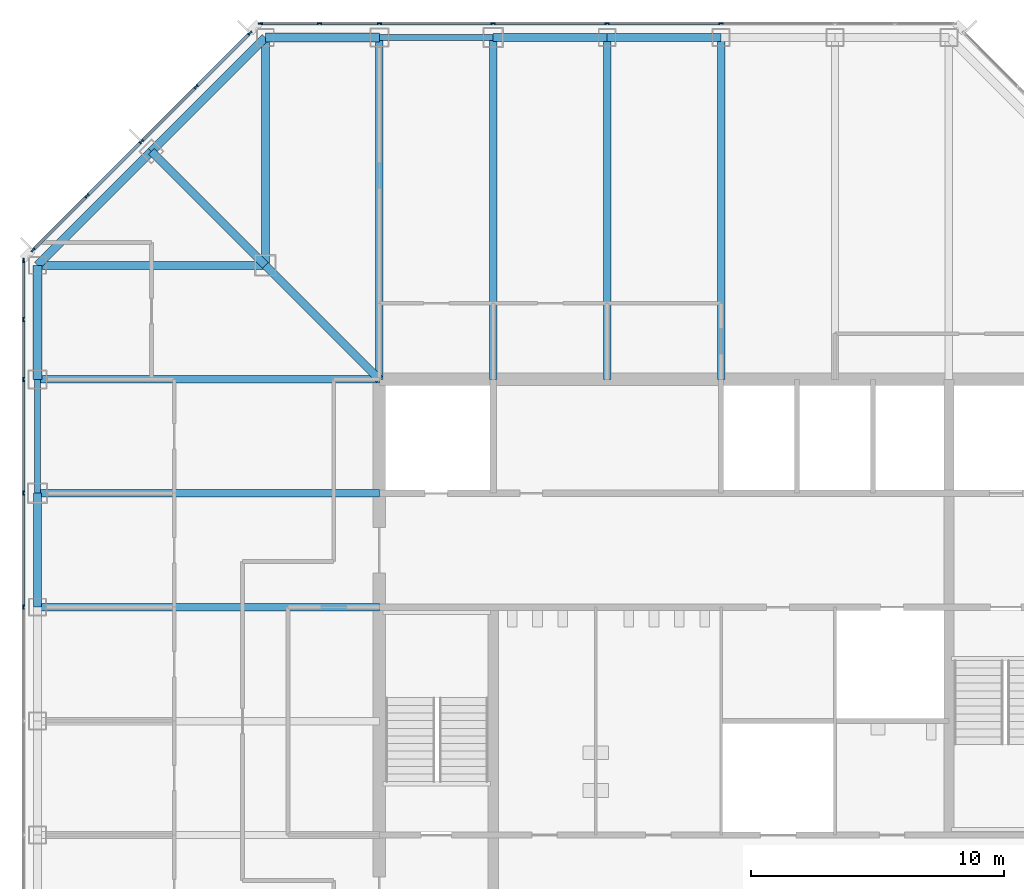
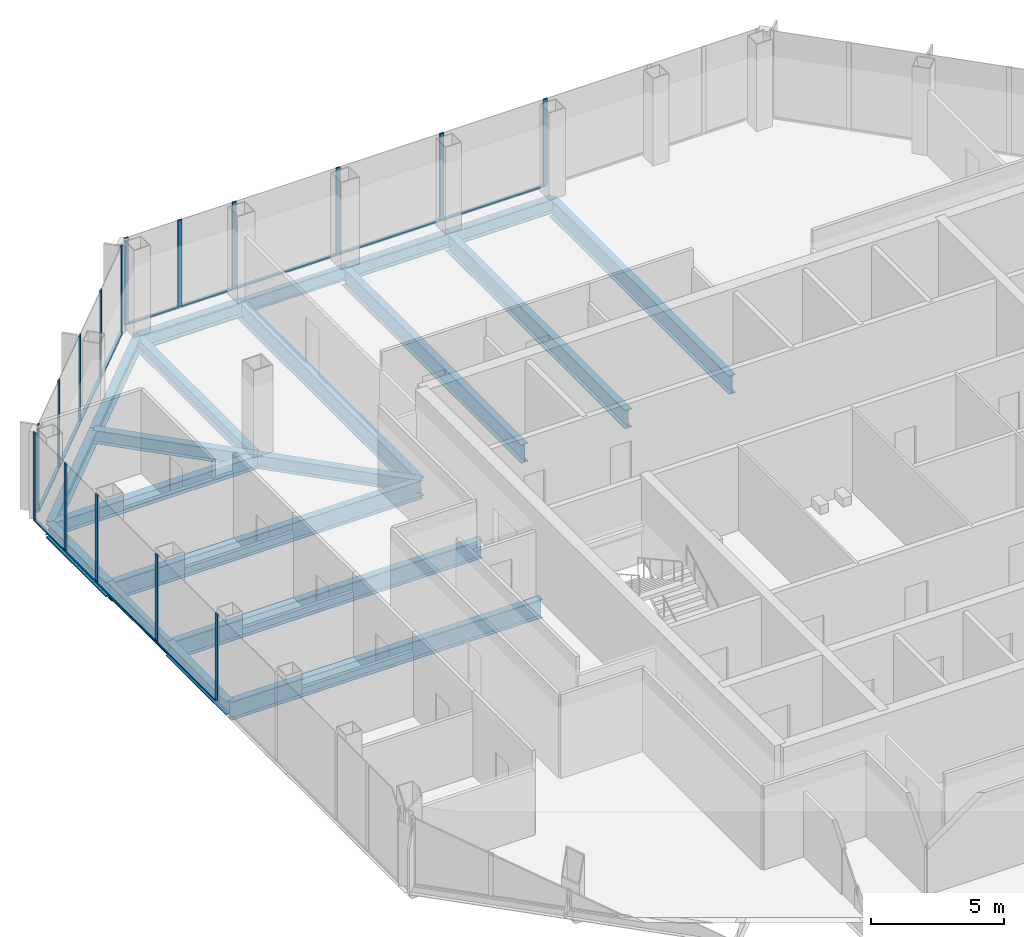
# One storey, part 5 of 13: 29 members, 20 beams, 3 elements without a shape of their own.
"""IFC4 building model written with IfcOpenShell, lengths in metres."""

from ifc_helpers import new_model, si_unit, direction, frame, origin, origin_2d, place, context, subcontext, project, spatial, rectangle, i_section, extrude, material, material_profile, profile_set, type_object, element, aggregate, save


model = new_model("IFC4")

# Units and contexts
model_context = context("Model", 3, precision=1e-05, world=origin(), true_north=direction((0.0, 1.0)))
body_context = subcontext(model_context, "Body", "Model", "MODEL_VIEW")
ifc_project = project(units=[si_unit("LENGTHUNIT", "METRE"), si_unit("AREAUNIT", "SQUARE_METRE"), si_unit("VOLUMEUNIT", "CUBIC_METRE"), si_unit("PLANEANGLEUNIT", "RADIAN"), si_unit("MASSUNIT", "GRAM", prefix="KILO")], contexts=[model_context])

# Site, building, storey
site_placement = place(None, origin())
site = spatial("IfcSite", under=ifc_project, at=site_placement, CompositionType="ELEMENT")
building_placement = place(site_placement, origin())
building = spatial("IfcBuilding", under=site, at=building_placement, Name="Corais Broadcast Tower", CompositionType="ELEMENT")
storey_placement = place(building_placement, frame((0.0, 0.0, 155.60009765625)))
storey = spatial("IfcBuildingStorey", under=building, at=storey_placement, Name="L35", CompositionType="ELEMENT", Elevation=155.60009765625)

# Beams
ifc_material_1 = material(Name="Steel ASTM A572 Grade 50", Category="steel")
ifc_material_profile_1 = material_profile(ifc_material_1, i_section(OverallWidth=0.323974609375, OverallDepth=0.611083984375, WebThickness=0.0126953125, FlangeThickness=0.01904296875, at=origin_2d()), Name="W610x155")
ifc_profile_set_1 = profile_set([ifc_material_profile_1], Name="Steel ASTM A572 Grade 50")
beam_type_1 = type_object("IfcBeamType", Name="Chamfer tie W610x155", PredefinedType="BEAM", material=ifc_profile_set_1)
beam_1_placement = place(storey_placement, frame((4.5, 49.5, -0.465576171875), z_axis=(0.707106781187, -0.707106781187, 0.0), x_axis=(0.707106781187, 0.707106781187, 0.0)))
element("IfcBeam", 1, at=beam_1_placement, inside=storey, type_object=beam_type_1, Name="B5 M/4 to L/5", PredefinedType="BEAM", context=body_context, shape_type="SweptSolid", body=[
    extrude(i_section(OverallWidth=0.323974609375, OverallDepth=0.611083984375, WebThickness=0.0126953125, FlangeThickness=0.01904296875, at=origin_2d()), origin(), (0.0, 0.0, 1.0), 6.364013671875),
])
ifc_material_2 = material(Name="Steel ASTM A572 Grade 50", Category="steel")
ifc_material_profile_2 = material_profile(ifc_material_2, i_section(OverallWidth=0.323974609375, OverallDepth=0.611083984375, WebThickness=0.0126953125, FlangeThickness=0.01904296875, at=origin_2d()), Name="W610x155")
ifc_profile_set_2 = profile_set([ifc_material_profile_2], Name="Steel ASTM A572 Grade 50")
beam_type_2 = type_object("IfcBeamType", Name="Corner diagonal W610x155", PredefinedType="BEAM", material=ifc_profile_set_2)
beam_2_placement = place(storey_placement, frame((9.0, 45.0, -0.465576171875), z_axis=(0.707106781187, -0.707106781187, 0.0), x_axis=(0.707106781187, 0.707106781187, 0.0)))
element("IfcBeam", 2, at=beam_2_placement, inside=storey, type_object=beam_type_2, Name="B6 L/5 to K/6", PredefinedType="BEAM", context=body_context, shape_type="SweptSolid", body=[
    extrude(i_section(OverallWidth=0.323974609375, OverallDepth=0.611083984375, WebThickness=0.0126953125, FlangeThickness=0.01904296875, at=origin_2d()), origin(), (0.0, 0.0, 1.0), 6.364013671875),
])
ifc_material_3 = material(Name="Steel ASTM A572 Grade 50", Category="steel")
ifc_material_profile_3 = material_profile(ifc_material_3, i_section(OverallWidth=0.323974609375, OverallDepth=0.611083984375, WebThickness=0.0126953125, FlangeThickness=0.01904296875, at=origin_2d()), Name="W610x155")
ifc_profile_set_3 = profile_set([ifc_material_profile_3], Name="Steel ASTM A572 Grade 50")
beam_type_3 = type_object("IfcBeamType", Name="Corner girder W610x155", PredefinedType="BEAM", material=ifc_profile_set_3)
for number, where, z_axis, x_axis, name in (
    (3, (0.0, 45.0, -0.465576171875), (1.0, 0.0, 0.0), (0.0, 1.0, 0.0), "B4 L/3 to L/5"),
    (4, (9.0, 54.0, -0.465576171875), (0.0, -1.0, 0.0), (1.0, 0.0, 0.0), "B4 N/5 to L/5"),
):
    element("IfcBeam", number, at=place(storey_placement, frame(where, z_axis=z_axis, x_axis=x_axis)), inside=storey, type_object=beam_type_3, Name=name, PredefinedType="BEAM", context=body_context, shape_type="SweptSolid", body=[
        extrude(i_section(OverallWidth=0.323974609375, OverallDepth=0.611083984375, WebThickness=0.0126953125, FlangeThickness=0.01904296875, at=origin_2d()), origin(), (0.0, 0.0, 1.0), 9.0),
    ])
ifc_material_4 = material(Name="Steel ASTM A572 Grade 50", Category="steel")
ifc_material_profile_4 = material_profile(ifc_material_4, i_section(OverallWidth=0.337890625, OverallDepth=0.677978515625, WebThickness=0.029541015625, FlangeThickness=0.052978515625, at=origin_2d()), Name="W610x415")
ifc_profile_set_4 = profile_set([ifc_material_profile_4], Name="Steel ASTM A572 Grade 50")
beam_type_4 = type_object("IfcBeamType", Name="Corner spandrel W610x415", PredefinedType="BEAM", material=ifc_profile_set_4)
for number, where, z_axis, x_axis, name in (
    (5, (0.0, 45.0, -0.4990234375), (0.0, -1.0, 0.0), (1.0, 0.0, 0.0), "SB10 L/3 to K/3"),
    (6, (13.5, 54.0, -0.4990234375), (-1.0, 0.0, 0.0), (0.0, -1.0, 0.0), "SB10 N/6 to N/5"),
):
    element("IfcBeam", number, at=place(storey_placement, frame(where, z_axis=z_axis, x_axis=x_axis)), inside=storey, type_object=beam_type_4, Name=name, PredefinedType="BEAM", context=body_context, shape_type="SweptSolid", body=[
        extrude(i_section(OverallWidth=0.337890625, OverallDepth=0.677978515625, WebThickness=0.029541015625, FlangeThickness=0.052978515625, at=origin_2d()), origin(), (0.0, 0.0, 1.0), 4.5),
    ])
ifc_material_5 = material(Name="Steel ASTM A572 Grade 50", Category="steel")
ifc_material_profile_5 = material_profile(ifc_material_5, i_section(OverallWidth=0.2939453125, OverallDepth=0.85107421875, WebThickness=0.01611328125, FlangeThickness=0.02685546875, at=origin_2d()), Name="W840x226")
ifc_profile_set_5 = profile_set([ifc_material_profile_5], Name="Steel ASTM A572 Grade 50")
beam_type_5 = type_object("IfcBeamType", Name="Floor beam W840x226", PredefinedType="BEAM", material=ifc_profile_set_5)
for number, where, z_axis, x_axis, name in (
    (7, (0.0, 31.5, -0.585693359375), (1.0, 0.0, 0.0), (0.0, 1.0, 0.0), "B1 H/3 to H/6"),
    (8, (0.0, 36.0, -0.585693359375), (1.0, 0.0, 0.0), (0.0, 1.0, 0.0), "B1 J/3 to J/6"),
    (9, (0.0, 40.5, -0.585693359375), (1.0, 0.0, 0.0), (0.0, 1.0, 0.0), "B1 K/3 to K/6"),
    (10, (13.5, 54.0, -0.585693359375), (0.0, -1.0, 0.0), (1.0, 0.0, 0.0), "B1 N/6 to K/6"),
    (11, (18.0, 54.0, -0.585693359375), (0.0, -1.0, 0.0), (1.0, 0.0, 0.0), "B1 N/7 to K/7"),
    (12, (22.5, 54.0, -0.585693359375), (0.0, -1.0, 0.0), (1.0, 0.0, 0.0), "B1 N/8 to K/8"),
    (13, (27.0, 54.0, -0.585693359375), (0.0, -1.0, 0.0), (1.0, 0.0, 0.0), "B1 N/9 to K/9"),
):
    element("IfcBeam", number, at=place(storey_placement, frame(where, z_axis=z_axis, x_axis=x_axis)), inside=storey, type_object=beam_type_5, Name=name, PredefinedType="BEAM", context=body_context, shape_type="SweptSolid", body=[
        extrude(i_section(OverallWidth=0.2939453125, OverallDepth=0.85107421875, WebThickness=0.01611328125, FlangeThickness=0.02685546875, at=origin_2d()), origin(), (0.0, 0.0, 1.0), 13.5),
    ])

# Curtain wall, members
ifc_material_6 = material(Name="Aluminium and glass", Category="aluminium")
curtain_wall_type = type_object("IfcCurtainWallType", Name="Unitised fritted curtain wall CW2", PredefinedType="NOTDEFINED", material=ifc_material_6)
curtain_wall_1_placement = place(storey_placement, origin())
curtain_wall_1 = element("IfcCurtainWall", 14, at=curtain_wall_1_placement, inside=storey, type_object=curtain_wall_type, Name="CW2 curtain wall L35 2", PredefinedType="NOTDEFINED")
ifc_material_7 = material(Name="Aluminium 6063-T6", Category="aluminium")
ifc_material_profile_6 = material_profile(ifc_material_7, rectangle(XDim=0.06494140625, YDim=0.179931640625, at=origin_2d()), Name="Mullion CW2 65x180")
ifc_profile_set_6 = profile_set([ifc_material_profile_6], Name="Aluminium 6063-T6")
member_type_1 = type_object("IfcMemberType", Name="Mullion CW2 65x180", PredefinedType="MULLION", material=ifc_profile_set_6)
member_1_placement = place(storey_placement, frame((-0.550048828125, 31.5, 0.0), z_axis=(0.0, 0.0, 1.0), x_axis=(-1.0, 0.0, 0.0)))
member_1 = element("IfcMember", 15, at=member_1_placement, type_object=member_type_1, Name="CW2 mullion 5", PredefinedType="MULLION", context=body_context, shape_type="SweptSolid", body=[
    extrude(rectangle(XDim=0.06494140625, YDim=0.179931640625, at=origin_2d()), origin(), (0.0, 0.0, 1.0), 4.0),
])
member_2_placement = place(storey_placement, frame((-0.550048828125, 36.0, 0.0), z_axis=(0.0, 0.0, 1.0), x_axis=(-1.0, 0.0, 0.0)))
member_2 = element("IfcMember", 16, at=member_2_placement, type_object=member_type_1, Name="CW2 mullion 6", PredefinedType="MULLION", context=body_context, shape_type="SweptSolid", body=[
    extrude(rectangle(XDim=0.06494140625, YDim=0.179931640625, at=origin_2d()), origin(), (0.0, 0.0, 1.0), 4.0),
])
member_3_placement = place(storey_placement, frame((-0.550048828125, 40.5, 0.0), z_axis=(0.0, 0.0, 1.0), x_axis=(-1.0, 0.0, 0.0)))
member_3 = element("IfcMember", 17, at=member_3_placement, type_object=member_type_1, Name="CW2 mullion 7", PredefinedType="MULLION", context=body_context, shape_type="SweptSolid", body=[
    extrude(rectangle(XDim=0.06494140625, YDim=0.179931640625, at=origin_2d()), origin(), (0.0, 0.0, 1.0), 4.0),
])
member_4_placement = place(storey_placement, frame((-0.550048828125, 42.864013671875, 0.0), z_axis=(0.0, 0.0, 1.0), x_axis=(-1.0, 0.0, 0.0)))
member_4 = element("IfcMember", 18, at=member_4_placement, type_object=member_type_1, Name="CW2 mullion 8", PredefinedType="MULLION", context=body_context, shape_type="SweptSolid", body=[
    extrude(rectangle(XDim=0.06494140625, YDim=0.179931640625, at=origin_2d()), origin(), (0.0, 0.0, 1.0), 4.0),
])
member_5_placement = place(storey_placement, frame((-0.550048828125, 45.1953125, 0.0), z_axis=(0.0, 0.0, 1.0), x_axis=(-1.0, 0.0, 0.0)))
member_5 = element("IfcMember", 19, at=member_5_placement, type_object=member_type_1, Name="CW2 mullion 9", PredefinedType="MULLION", context=body_context, shape_type="SweptSolid", body=[
    extrude(rectangle(XDim=0.06494140625, YDim=0.179931640625, at=origin_2d()), origin(), (0.0, 0.0, 1.0), 4.0),
])

curtain_wall_2_placement = place(storey_placement, origin())
curtain_wall_2 = element("IfcCurtainWall", 20, at=curtain_wall_2_placement, inside=storey, type_object=curtain_wall_type, Name="CW2 curtain wall L35 3", PredefinedType="NOTDEFINED")
member_6_placement = place(storey_placement, frame((-0.17333984375, 45.6044921875, 0.0), z_axis=(0.0, 0.0, 1.0), x_axis=(-0.707106781187, 0.707106781187, 0.0)))
member_6 = element("IfcMember", 21, at=member_6_placement, type_object=member_type_1, Name="CW2 mullion 1", PredefinedType="MULLION", context=body_context, shape_type="SweptSolid", body=[
    extrude(rectangle(XDim=0.06494140625, YDim=0.179931640625, at=origin_2d()), origin(), (0.0, 0.0, 1.0), 4.0),
])
member_7_placement = place(storey_placement, frame((1.957275390625, 47.735107421875, 0.0), z_axis=(0.0, 0.0, 1.0), x_axis=(-0.707106781187, 0.707106781187, 0.0)))
member_7 = element("IfcMember", 22, at=member_7_placement, type_object=member_type_1, Name="CW2 mullion 2", PredefinedType="MULLION", context=body_context, shape_type="SweptSolid", body=[
    extrude(rectangle(XDim=0.06494140625, YDim=0.179931640625, at=origin_2d()), origin(), (0.0, 0.0, 1.0), 4.0),
])
member_8_placement = place(storey_placement, frame((4.111083984375, 49.888916015625, 0.0), z_axis=(0.0, 0.0, 1.0), x_axis=(-0.707106781187, 0.707106781187, 0.0)))
member_8 = element("IfcMember", 23, at=member_8_placement, type_object=member_type_1, Name="CW2 mullion 3", PredefinedType="MULLION", context=body_context, shape_type="SweptSolid", body=[
    extrude(rectangle(XDim=0.06494140625, YDim=0.179931640625, at=origin_2d()), origin(), (0.0, 0.0, 1.0), 4.0),
])
member_9_placement = place(storey_placement, frame((6.264892578125, 52.042724609375, 0.0), z_axis=(0.0, 0.0, 1.0), x_axis=(-0.707106781187, 0.707106781187, 0.0)))
member_9 = element("IfcMember", 24, at=member_9_placement, type_object=member_type_1, Name="CW2 mullion 4", PredefinedType="MULLION", context=body_context, shape_type="SweptSolid", body=[
    extrude(rectangle(XDim=0.06494140625, YDim=0.179931640625, at=origin_2d()), origin(), (0.0, 0.0, 1.0), 4.0),
])
member_10_placement = place(storey_placement, frame((8.3955078125, 54.17333984375, 0.0), z_axis=(0.0, 0.0, 1.0), x_axis=(-0.707106781187, 0.707106781187, 0.0)))
member_10 = element("IfcMember", 25, at=member_10_placement, type_object=member_type_1, Name="CW2 mullion 5", PredefinedType="MULLION", context=body_context, shape_type="SweptSolid", body=[
    extrude(rectangle(XDim=0.06494140625, YDim=0.179931640625, at=origin_2d()), origin(), (0.0, 0.0, 1.0), 4.0),
])

curtain_wall_3_placement = place(storey_placement, origin())
curtain_wall_3 = element("IfcCurtainWall", 26, at=curtain_wall_3_placement, inside=storey, type_object=curtain_wall_type, Name="CW2 curtain wall L35 4", PredefinedType="NOTDEFINED")
member_11_placement = place(storey_placement, frame((8.8046875, 54.550048828125, 0.0), z_axis=(0.0, 0.0, 1.0), x_axis=(0.0, 1.0, 0.0)))
member_11 = element("IfcMember", 27, at=member_11_placement, type_object=member_type_1, Name="CW2 mullion 1", PredefinedType="MULLION", context=body_context, shape_type="SweptSolid", body=[
    extrude(rectangle(XDim=0.06494140625, YDim=0.179931640625, at=origin_2d()), origin(), (0.0, 0.0, 1.0), 4.0),
])
member_12_placement = place(storey_placement, frame((11.135986328125, 54.550048828125, 0.0), z_axis=(0.0, 0.0, 1.0), x_axis=(0.0, 1.0, 0.0)))
member_12 = element("IfcMember", 28, at=member_12_placement, type_object=member_type_1, Name="CW2 mullion 2", PredefinedType="MULLION", context=body_context, shape_type="SweptSolid", body=[
    extrude(rectangle(XDim=0.06494140625, YDim=0.179931640625, at=origin_2d()), origin(), (0.0, 0.0, 1.0), 4.0),
])
member_13_placement = place(storey_placement, frame((13.5, 54.550048828125, 0.0), z_axis=(0.0, 0.0, 1.0), x_axis=(0.0, 1.0, 0.0)))
member_13 = element("IfcMember", 29, at=member_13_placement, type_object=member_type_1, Name="CW2 mullion 3", PredefinedType="MULLION", context=body_context, shape_type="SweptSolid", body=[
    extrude(rectangle(XDim=0.06494140625, YDim=0.179931640625, at=origin_2d()), origin(), (0.0, 0.0, 1.0), 4.0),
])
member_14_placement = place(storey_placement, frame((18.0, 54.550048828125, 0.0), z_axis=(0.0, 0.0, 1.0), x_axis=(0.0, 1.0, 0.0)))
member_14 = element("IfcMember", 30, at=member_14_placement, type_object=member_type_1, Name="CW2 mullion 4", PredefinedType="MULLION", context=body_context, shape_type="SweptSolid", body=[
    extrude(rectangle(XDim=0.06494140625, YDim=0.179931640625, at=origin_2d()), origin(), (0.0, 0.0, 1.0), 4.0),
])
member_15_placement = place(storey_placement, frame((22.5, 54.550048828125, 0.0), z_axis=(0.0, 0.0, 1.0), x_axis=(0.0, 1.0, 0.0)))
member_15 = element("IfcMember", 31, at=member_15_placement, type_object=member_type_1, Name="CW2 mullion 5", PredefinedType="MULLION", context=body_context, shape_type="SweptSolid", body=[
    extrude(rectangle(XDim=0.06494140625, YDim=0.179931640625, at=origin_2d()), origin(), (0.0, 0.0, 1.0), 4.0),
])
member_16_placement = place(storey_placement, frame((27.0, 54.550048828125, 0.0), z_axis=(0.0, 0.0, 1.0), x_axis=(0.0, 1.0, 0.0)))
member_16 = element("IfcMember", 32, at=member_16_placement, type_object=member_type_1, Name="CW2 mullion 6", PredefinedType="MULLION", context=body_context, shape_type="SweptSolid", body=[
    extrude(rectangle(XDim=0.06494140625, YDim=0.179931640625, at=origin_2d()), origin(), (0.0, 0.0, 1.0), 4.0),
])

# Beams
ifc_material_8 = material(Name="Steel ASTM A572 Grade 50", Category="steel")
ifc_material_profile_7 = material_profile(ifc_material_8, i_section(OverallWidth=0.22900390625, OverallDepth=0.612060546875, WebThickness=0.011962890625, FlangeThickness=0.01953125, at=origin_2d()), Name="W610x125")
ifc_profile_set_7 = profile_set([ifc_material_profile_7], Name="Steel ASTM A572 Grade 50")
beam_type_6 = type_object("IfcBeamType", Name="Pinned spandrel W610x125", PredefinedType="BEAM", material=ifc_profile_set_7)
for number, where, z_axis, x_axis, name in (
    (33, (0.0, 40.5, -0.466064453125), (0.0, -1.0, 0.0), (1.0, 0.0, 0.0), "SB7 K/3 to J/3"),
    (34, (18.0, 54.0, -0.466064453125), (-1.0, 0.0, 0.0), (0.0, -1.0, 0.0), "SB7 N/7 to N/6"),
):
    element("IfcBeam", number, at=place(storey_placement, frame(where, z_axis=z_axis, x_axis=x_axis)), inside=storey, type_object=beam_type_6, Name=name, PredefinedType="BEAM", context=body_context, shape_type="SweptSolid", body=[
        extrude(i_section(OverallWidth=0.22900390625, OverallDepth=0.612060546875, WebThickness=0.011962890625, FlangeThickness=0.01953125, at=origin_2d()), origin(), (0.0, 0.0, 1.0), 4.5),
    ])
ifc_material_9 = material(Name="Steel ASTM A572 Grade 50", Category="steel")
ifc_material_profile_8 = material_profile(ifc_material_9, i_section(OverallWidth=0.3291015625, OverallDepth=0.635009765625, WebThickness=0.017822265625, FlangeThickness=0.031005859375, at=origin_2d()), Name="W610x241")
ifc_profile_set_8 = profile_set([ifc_material_profile_8], Name="Steel ASTM A572 Grade 50")
beam_type_7 = type_object("IfcBeamType", Name="Spandrel W610x241", PredefinedType="BEAM", material=ifc_profile_set_8)
for number, where, z_axis, x_axis, name in (
    (35, (0.0, 36.0, -0.4775390625), (0.0, -1.0, 0.0), (1.0, 0.0, 0.0), "SB1 J/3 to H/3"),
    (36, (22.5, 54.0, -0.4775390625), (-1.0, 0.0, 0.0), (0.0, -1.0, 0.0), "SB1 N/8 to N/7"),
    (37, (27.0, 54.0, -0.4775390625), (-1.0, 0.0, 0.0), (0.0, -1.0, 0.0), "SB1 N/9 to N/8"),
):
    element("IfcBeam", number, at=place(storey_placement, frame(where, z_axis=z_axis, x_axis=x_axis)), inside=storey, type_object=beam_type_7, Name=name, PredefinedType="BEAM", context=body_context, shape_type="SweptSolid", body=[
        extrude(i_section(OverallWidth=0.3291015625, OverallDepth=0.635009765625, WebThickness=0.017822265625, FlangeThickness=0.031005859375, at=origin_2d()), origin(), (0.0, 0.0, 1.0), 4.5),
    ])
for number, where, z_axis, x_axis, name in (
    (38, (4.5, 49.5, -0.4775390625), (-0.707106781187, -0.707106781187, 0.0), (0.707106781187, -0.707106781187, 0.0), "SB1 M/4 to L/3"),
    (39, (9.0, 54.0, -0.4775390625), (-0.707106781187, -0.707106781187, 0.0), (0.707106781187, -0.707106781187, 0.0), "SB1 N/5 to M/4"),
):
    element("IfcBeam", number, at=place(storey_placement, frame(where, z_axis=z_axis, x_axis=x_axis)), inside=storey, type_object=beam_type_7, Name=name, PredefinedType="BEAM", context=body_context, shape_type="SweptSolid", body=[
        extrude(i_section(OverallWidth=0.3291015625, OverallDepth=0.635009765625, WebThickness=0.017822265625, FlangeThickness=0.031005859375, at=origin_2d()), origin(), (0.0, 0.0, 1.0), 6.364013671875),
    ])

# Member
ifc_material_10 = material(Name="Aluminium 6063-T6", Category="aluminium")
ifc_material_profile_9 = material_profile(ifc_material_10, rectangle(XDim=0.1298828125, YDim=0.06494140625, at=origin_2d()), Name="Transom CW2 65x130")
ifc_profile_set_9 = profile_set([ifc_material_profile_9], Name="Aluminium 6063-T6")
member_type_2 = type_object("IfcMemberType", Name="Transom CW2 65x130", PredefinedType="USERDEFINED", material=ifc_profile_set_9)
member_17_placement = place(storey_placement, frame((-0.550048828125, 31.532470703125, 0.032470703125), z_axis=(0.0, 1.0, 0.0), x_axis=(-1.0, 0.0, 0.0)))
member_17 = element("IfcMember", 40, at=member_17_placement, type_object=member_type_2, Name="CW2 transom 5.1", ObjectType="TRANSOM", PredefinedType="USERDEFINED", context=body_context, shape_type="SweptSolid", body=[
    extrude(rectangle(XDim=0.1298828125, YDim=0.06494140625, at=origin_2d()), origin(), (0.0, 0.0, 1.0), 4.43505859375),
])

member_18_placement = place(storey_placement, frame((-0.550048828125, 36.032470703125, 0.032470703125), z_axis=(0.0, 1.0, 0.0), x_axis=(-1.0, 0.0, 0.0)))
member_18 = element("IfcMember", 41, at=member_18_placement, type_object=member_type_2, Name="CW2 transom 6.1", ObjectType="TRANSOM", PredefinedType="USERDEFINED", context=body_context, shape_type="SweptSolid", body=[
    extrude(rectangle(XDim=0.1298828125, YDim=0.06494140625, at=origin_2d()), origin(), (0.0, 0.0, 1.0), 4.43505859375),
])

member_19_placement = place(storey_placement, frame((-0.550048828125, 40.532470703125, 0.032470703125), z_axis=(0.0, 1.0, 0.0), x_axis=(-1.0, 0.0, 0.0)))
member_19 = element("IfcMember", 42, at=member_19_placement, type_object=member_type_2, Name="CW2 transom 7.1", ObjectType="TRANSOM", PredefinedType="USERDEFINED", context=body_context, shape_type="SweptSolid", body=[
    extrude(rectangle(XDim=0.1298828125, YDim=0.06494140625, at=origin_2d()), origin(), (0.0, 0.0, 1.0), 2.298828125),
])

member_20_placement = place(storey_placement, frame((-0.550048828125, 42.896484375, 0.032470703125), z_axis=(0.0, 1.0, 0.0), x_axis=(-1.0, 0.0, 0.0)))
member_20 = element("IfcMember", 43, at=member_20_placement, type_object=member_type_2, Name="CW2 transom 8.1", ObjectType="TRANSOM", PredefinedType="USERDEFINED", context=body_context, shape_type="SweptSolid", body=[
    extrude(rectangle(XDim=0.1298828125, YDim=0.06494140625, at=origin_2d()), origin(), (0.0, 0.0, 1.0), 2.266357421875),
])

aggregate(curtain_wall_1, [member_1, member_2, member_3, member_4, member_5, member_17, member_18, member_19, member_20])

member_21_placement = place(storey_placement, frame((-0.150390625, 45.62744140625, 0.032470703125), z_axis=(0.707106781187, 0.707106781187, 0.0), x_axis=(-0.707106781187, 0.707106781187, 0.0)))
member_21 = element("IfcMember", 44, at=member_21_placement, type_object=member_type_2, Name="CW2 transom 1.1", ObjectType="TRANSOM", PredefinedType="USERDEFINED", context=body_context, shape_type="SweptSolid", body=[
    extrude(rectangle(XDim=0.1298828125, YDim=0.06494140625, at=origin_2d()), origin(), (0.0, 0.0, 1.0), 2.9482421875),
])

member_22_placement = place(storey_placement, frame((1.980224609375, 47.758056640625, 0.032470703125), z_axis=(0.707106781187, 0.707106781187, 0.0), x_axis=(-0.707106781187, 0.707106781187, 0.0)))
member_22 = element("IfcMember", 45, at=member_22_placement, type_object=member_type_2, Name="CW2 transom 2.1", ObjectType="TRANSOM", PredefinedType="USERDEFINED", context=body_context, shape_type="SweptSolid", body=[
    extrude(rectangle(XDim=0.1298828125, YDim=0.06494140625, at=origin_2d()), origin(), (0.0, 0.0, 1.0), 2.98095703125),
])

member_23_placement = place(storey_placement, frame((4.134033203125, 49.911865234375, 0.032470703125), z_axis=(0.707106781187, 0.707106781187, 0.0), x_axis=(-0.707106781187, 0.707106781187, 0.0)))
member_23 = element("IfcMember", 46, at=member_23_placement, type_object=member_type_2, Name="CW2 transom 3.1", ObjectType="TRANSOM", PredefinedType="USERDEFINED", context=body_context, shape_type="SweptSolid", body=[
    extrude(rectangle(XDim=0.1298828125, YDim=0.06494140625, at=origin_2d()), origin(), (0.0, 0.0, 1.0), 2.98095703125),
])

member_24_placement = place(storey_placement, frame((6.287841796875, 52.065673828125, 0.032470703125), z_axis=(0.707106781187, 0.707106781187, 0.0), x_axis=(-0.707106781187, 0.707106781187, 0.0)))
member_24 = element("IfcMember", 47, at=member_24_placement, type_object=member_type_2, Name="CW2 transom 4.1", ObjectType="TRANSOM", PredefinedType="USERDEFINED", context=body_context, shape_type="SweptSolid", body=[
    extrude(rectangle(XDim=0.1298828125, YDim=0.06494140625, at=origin_2d()), origin(), (0.0, 0.0, 1.0), 2.9482421875),
])

aggregate(curtain_wall_2, [member_6, member_7, member_8, member_9, member_10, member_21, member_22, member_23, member_24])

member_25_placement = place(storey_placement, frame((8.837158203125, 54.550048828125, 0.032470703125), z_axis=(1.0, 0.0, 0.0), x_axis=(0.0, 1.0, 0.0)))
member_25 = element("IfcMember", 48, at=member_25_placement, type_object=member_type_2, Name="CW2 transom 1.1", ObjectType="TRANSOM", PredefinedType="USERDEFINED", context=body_context, shape_type="SweptSolid", body=[
    extrude(rectangle(XDim=0.1298828125, YDim=0.06494140625, at=origin_2d()), origin(), (0.0, 0.0, 1.0), 2.266357421875),
])

member_26_placement = place(storey_placement, frame((11.168701171875, 54.550048828125, 0.032470703125), z_axis=(1.0, 0.0, 0.0), x_axis=(0.0, 1.0, 0.0)))
member_26 = element("IfcMember", 49, at=member_26_placement, type_object=member_type_2, Name="CW2 transom 2.1", ObjectType="TRANSOM", PredefinedType="USERDEFINED", context=body_context, shape_type="SweptSolid", body=[
    extrude(rectangle(XDim=0.1298828125, YDim=0.06494140625, at=origin_2d()), origin(), (0.0, 0.0, 1.0), 2.298828125),
])

member_27_placement = place(storey_placement, frame((13.532470703125, 54.550048828125, 0.032470703125), z_axis=(1.0, 0.0, 0.0), x_axis=(0.0, 1.0, 0.0)))
member_27 = element("IfcMember", 50, at=member_27_placement, type_object=member_type_2, Name="CW2 transom 3.1", ObjectType="TRANSOM", PredefinedType="USERDEFINED", context=body_context, shape_type="SweptSolid", body=[
    extrude(rectangle(XDim=0.1298828125, YDim=0.06494140625, at=origin_2d()), origin(), (0.0, 0.0, 1.0), 4.43505859375),
])

member_28_placement = place(storey_placement, frame((18.032470703125, 54.550048828125, 0.032470703125), z_axis=(1.0, 0.0, 0.0), x_axis=(0.0, 1.0, 0.0)))
member_28 = element("IfcMember", 51, at=member_28_placement, type_object=member_type_2, Name="CW2 transom 4.1", ObjectType="TRANSOM", PredefinedType="USERDEFINED", context=body_context, shape_type="SweptSolid", body=[
    extrude(rectangle(XDim=0.1298828125, YDim=0.06494140625, at=origin_2d()), origin(), (0.0, 0.0, 1.0), 4.43505859375),
])

member_29_placement = place(storey_placement, frame((22.532470703125, 54.550048828125, 0.032470703125), z_axis=(1.0, 0.0, 0.0), x_axis=(0.0, 1.0, 0.0)))
member_29 = element("IfcMember", 52, at=member_29_placement, type_object=member_type_2, Name="CW2 transom 5.1", ObjectType="TRANSOM", PredefinedType="USERDEFINED", context=body_context, shape_type="SweptSolid", body=[
    extrude(rectangle(XDim=0.1298828125, YDim=0.06494140625, at=origin_2d()), origin(), (0.0, 0.0, 1.0), 4.43505859375),
])

aggregate(curtain_wall_3, [member_11, member_12, member_13, member_14, member_15, member_16, member_25, member_26, member_27, member_28, member_29])

save(model, "model.ifc")
